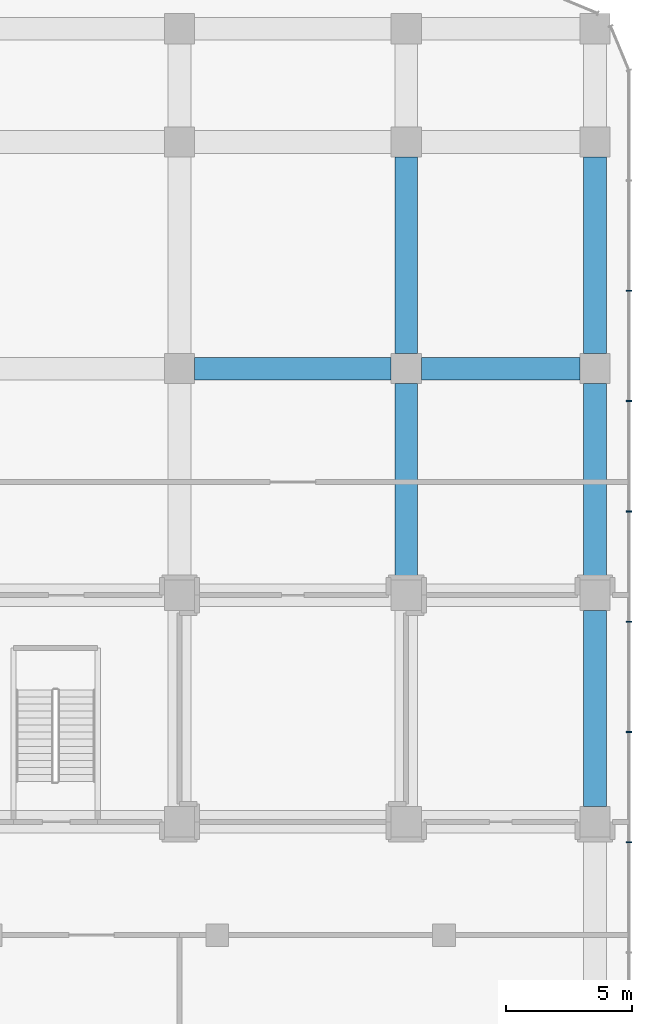
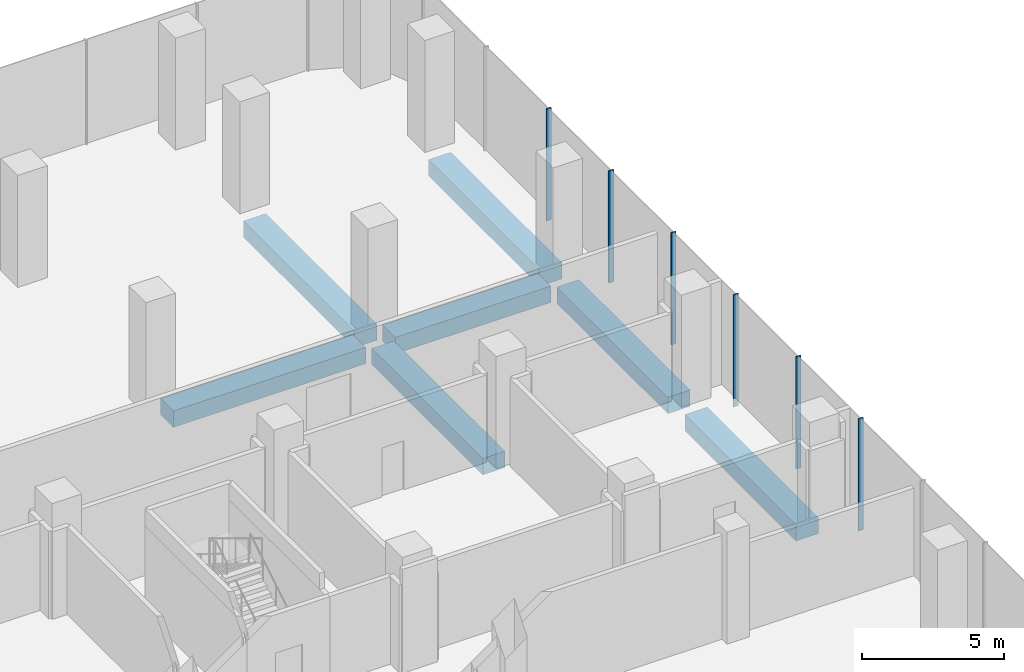
# One storey, part 20 of 42: 7 beams, 6 members, 1 element without a shape of its own.
"""IFC4 building model written with IfcOpenShell, lengths in metres."""

from ifc_helpers import new_model, si_unit, direction, frame, origin, origin_2d, place, context, subcontext, project, spatial, rectangle, extrude, material, layer, layer_set, material_profile, profile_set, type_object, element, aggregate, save


model = new_model("IFC4")

# Units and contexts
model_context = context("Model", 3, precision=1e-05, world=origin(), true_north=direction((0.0, 1.0)))
body_context = subcontext(model_context, "Body", "Model", "MODEL_VIEW")
ifc_project = project(units=[si_unit("LENGTHUNIT", "METRE"), si_unit("AREAUNIT", "SQUARE_METRE"), si_unit("VOLUMEUNIT", "CUBIC_METRE"), si_unit("PLANEANGLEUNIT", "RADIAN"), si_unit("MASSUNIT", "GRAM", prefix="KILO")], contexts=[model_context])

# Site, building, storey
site_placement = place(None, origin())
site = spatial("IfcSite", under=ifc_project, at=site_placement, CompositionType="ELEMENT")
building_placement = place(site_placement, origin())
building = spatial("IfcBuilding", under=site, at=building_placement, Name="Plateau Cross Towers", CompositionType="ELEMENT")
storey_placement = place(building_placement, frame((0.0, 0.0, 8.0)))
storey = spatial("IfcBuildingStorey", under=building, at=storey_placement, Name="L01", CompositionType="ELEMENT", Elevation=8.0)

# Curtain wall, members
ifc_material_1 = material(Name="Dark low-iron laminated glass", Category="glass")
ifc_layer = layer(ifc_material_1, 0.300048828125)
ifc_layer_set = layer_set([ifc_layer], Name="Dark low-iron laminated glass")
curtain_wall_type = type_object("IfcCurtainWallType", Name="Curtain wall structural silicone CW-C", PredefinedType="NOTDEFINED", material=ifc_layer_set)
curtain_wall_placement = place(storey_placement, origin())
curtain_wall = element("IfcCurtainWall", 1, at=curtain_wall_placement, inside=storey, type_object=curtain_wall_type, Name="ENV/P/L01/P1078_-88", PredefinedType="NOTDEFINED")
ifc_material_2 = material(Name="Black anodised aluminium", Category="aluminium")
ifc_material_profile_1 = material_profile(ifc_material_2, rectangle(XDim=0.050048828125, YDim=0.199951171875, at=origin_2d()), Name="MULLION 50x200")
ifc_profile_set_1 = profile_set([ifc_material_profile_1], Name="Black anodised aluminium")
member_type = type_object("IfcMemberType", Name="Mullion 50x200 structural silicone", PredefinedType="MULLION", material=ifc_profile_set_1)
member_1_placement = place(storey_placement, frame((107.85009765625, 26.18994140625, -0.35009765625), z_axis=(0.0, 0.0, 1.0), x_axis=(0.0, 1.0, 0.0)))
member_1 = element("IfcMember", 2, at=member_1_placement, type_object=member_type, Name="CW-C mullion 9", PredefinedType="MULLION", context=body_context, shape_type="SweptSolid", body=[
    extrude(rectangle(XDim=0.050048828125, YDim=0.199951171875, at=origin_2d()), origin(), (0.0, 0.0, 1.0), 4.800048828125),
])
member_2_placement = place(storey_placement, frame((107.85009765625, 30.570068359375, -0.35009765625), z_axis=(0.0, 0.0, 1.0), x_axis=(0.0, 1.0, 0.0)))
member_2 = element("IfcMember", 3, at=member_2_placement, type_object=member_type, Name="CW-C mullion 10", PredefinedType="MULLION", context=body_context, shape_type="SweptSolid", body=[
    extrude(rectangle(XDim=0.050048828125, YDim=0.199951171875, at=origin_2d()), origin(), (0.0, 0.0, 1.0), 4.800048828125),
])
member_3_placement = place(storey_placement, frame((107.85009765625, 34.949951171875, -0.35009765625), z_axis=(0.0, 0.0, 1.0), x_axis=(0.0, 1.0, 0.0)))
member_3 = element("IfcMember", 4, at=member_3_placement, type_object=member_type, Name="CW-C mullion 11", PredefinedType="MULLION", context=body_context, shape_type="SweptSolid", body=[
    extrude(rectangle(XDim=0.050048828125, YDim=0.199951171875, at=origin_2d()), origin(), (0.0, 0.0, 1.0), 4.800048828125),
])
member_4_placement = place(storey_placement, frame((107.85009765625, 39.330078125, -0.35009765625), z_axis=(0.0, 0.0, 1.0), x_axis=(0.0, 1.0, 0.0)))
member_4 = element("IfcMember", 5, at=member_4_placement, type_object=member_type, Name="CW-C mullion 12", PredefinedType="MULLION", context=body_context, shape_type="SweptSolid", body=[
    extrude(rectangle(XDim=0.050048828125, YDim=0.199951171875, at=origin_2d()), origin(), (0.0, 0.0, 1.0), 4.800048828125),
])
member_5_placement = place(storey_placement, frame((107.85009765625, 43.7099609375, -0.35009765625), z_axis=(0.0, 0.0, 1.0), x_axis=(0.0, 1.0, 0.0)))
member_5 = element("IfcMember", 6, at=member_5_placement, type_object=member_type, Name="CW-C mullion 13", PredefinedType="MULLION", context=body_context, shape_type="SweptSolid", body=[
    extrude(rectangle(XDim=0.050048828125, YDim=0.199951171875, at=origin_2d()), origin(), (0.0, 0.0, 1.0), 4.800048828125),
])
member_6_placement = place(storey_placement, frame((107.85009765625, 48.090087890625, -0.35009765625), z_axis=(0.0, 0.0, 1.0), x_axis=(0.0, 1.0, 0.0)))
member_6 = element("IfcMember", 7, at=member_6_placement, type_object=member_type, Name="CW-C mullion 14", PredefinedType="MULLION", context=body_context, shape_type="SweptSolid", body=[
    extrude(rectangle(XDim=0.050048828125, YDim=0.199951171875, at=origin_2d()), origin(), (0.0, 0.0, 1.0), 4.800048828125),
])
aggregate(curtain_wall, [member_1, member_2, member_3, member_4, member_5, member_6])

# Beams
ifc_material_3 = material(Name="Concrete C50/60", Category="concrete")
ifc_material_profile_2 = material_profile(ifc_material_3, rectangle(XDim=0.89990234375, YDim=0.699951171875, at=origin_2d()), Name="RC 900x700")
ifc_profile_set_2 = profile_set([ifc_material_profile_2], Name="Concrete C50/60")
beam_type = type_object("IfcBeamType", Name="Podium band beam RC 900x700", PredefinedType="BEAM", material=ifc_profile_set_2)
beam_1_placement = place(storey_placement, frame((90.60009765625, 45.0, -0.699951171875), z_axis=(1.0, 0.0, 0.0), x_axis=(0.0, 1.0, 0.0)))
element("IfcBeam", 8, at=beam_1_placement, inside=storey, type_object=beam_type, Name="PB65@L01", PredefinedType="BEAM", context=body_context, shape_type="SweptSolid", body=[
    extrude(rectangle(XDim=0.89990234375, YDim=0.699951171875, at=origin_2d()), origin(), (0.0, 0.0, 1.0), 7.7998046875),
])
beam_2_placement = place(storey_placement, frame((99.60009765625, 45.0, -0.699951171875), z_axis=(1.0, 0.0, 0.0), x_axis=(0.0, 1.0, 0.0)))
element("IfcBeam", 9, at=beam_2_placement, inside=storey, type_object=beam_type, Name="PB66@L01", PredefinedType="BEAM", context=body_context, shape_type="SweptSolid", body=[
    extrude(rectangle(XDim=0.89990234375, YDim=0.699951171875, at=origin_2d()), origin(), (0.0, 0.0, 1.0), 6.2998046875),
])
for number, where, z_axis, x_axis, name in (
    (10, (99.0, 36.60009765625, -0.699951171875), (0.0, 1.0, 0.0), (-1.0, 0.0, 0.0), "PB170@L01"),
    (11, (99.0, 45.60009765625, -0.699951171875), (0.0, 1.0, 0.0), (-1.0, 0.0, 0.0), "PB171@L01"),
    (12, (106.5, 27.60009765625, -0.699951171875), (0.0, 1.0, 0.0), (-1.0, 0.0, 0.0), "PB178@L01"),
    (13, (106.5, 36.60009765625, -0.699951171875), (0.0, 1.0, 0.0), (-1.0, 0.0, 0.0), "PB179@L01"),
    (14, (106.5, 45.60009765625, -0.699951171875), (0.0, 1.0, 0.0), (-1.0, 0.0, 0.0), "PB180@L01"),
):
    element("IfcBeam", number, at=place(storey_placement, frame(where, z_axis=z_axis, x_axis=x_axis)), inside=storey, type_object=beam_type, Name=name, PredefinedType="BEAM", context=body_context, shape_type="SweptSolid", body=[
        extrude(rectangle(XDim=0.89990234375, YDim=0.699951171875, at=origin_2d()), origin(), (0.0, 0.0, 1.0), 7.7998046875),
    ])

save(model, "model.ifc")
